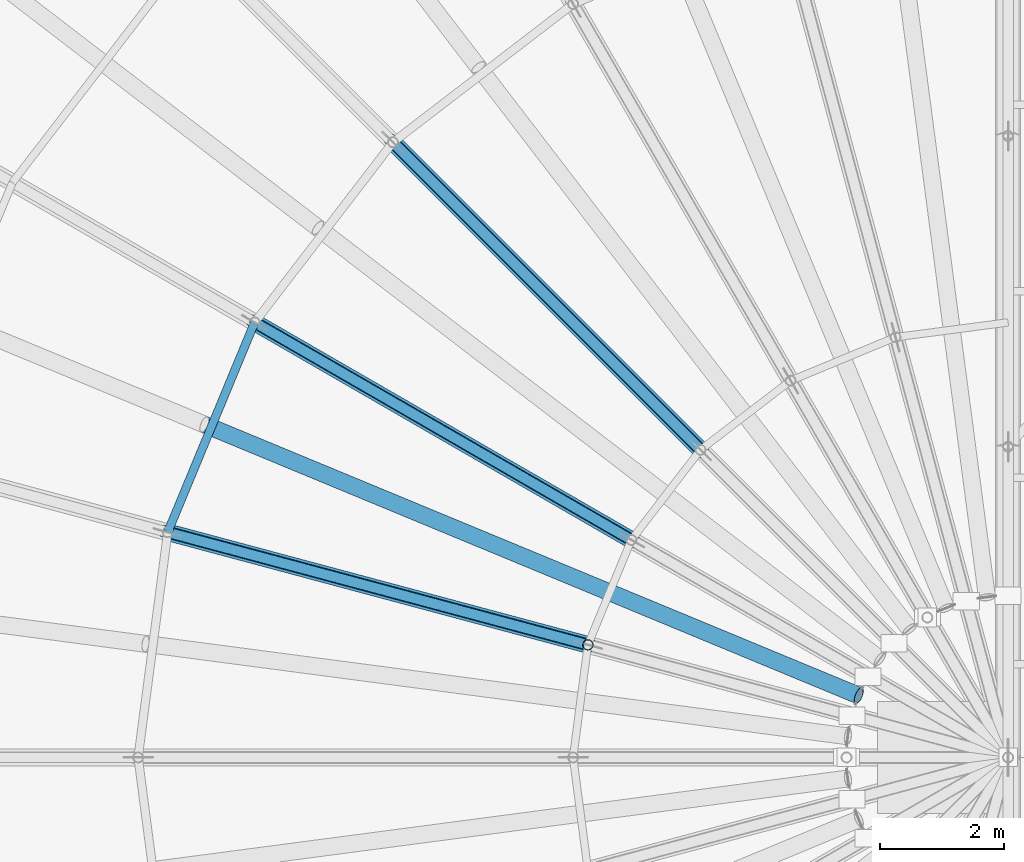
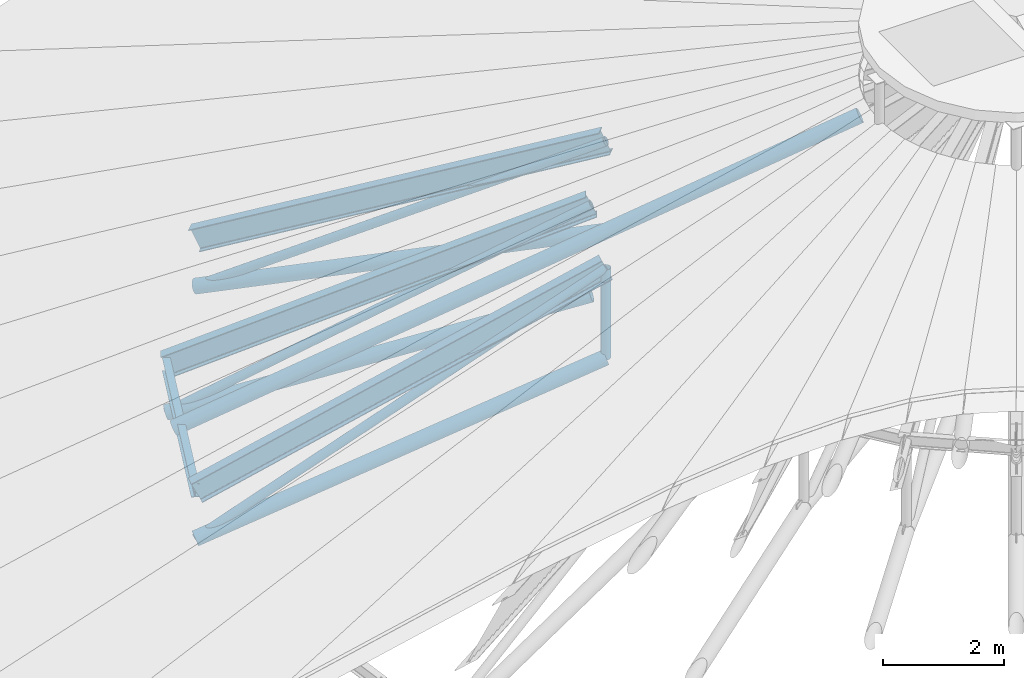
# One storey, part 6 of 107: 12 members.
"""IFC4 building model written with IfcOpenShell, lengths in metres."""

from ifc_helpers import new_model, si_unit, derived_unit, direction, frame, origin, origin_2d, place, context, subcontext, project, spatial, hollow_circle, i_section, extrude, material, material_profile, profile_set, type_object, element, save


model = new_model("IFC4")

# Units and contexts
model_context = context("Model", 3, precision=1e-05, world=origin(), true_north=direction((0.0, 1.0)))
body_context = subcontext(model_context, "Body", "Model", "MODEL_VIEW")
ifc_project = project(units=[si_unit("LENGTHUNIT", "METRE"), si_unit("AREAUNIT", "SQUARE_METRE"), si_unit("VOLUMEUNIT", "CUBIC_METRE"), si_unit("PLANEANGLEUNIT", "RADIAN"), si_unit("MASSUNIT", "GRAM", prefix="KILO"), si_unit("THERMODYNAMICTEMPERATUREUNIT", "KELVIN"), si_unit("TIMEUNIT", "SECOND"), derived_unit("THERMALTRANSMITTANCEUNIT", [(si_unit("MASSUNIT", "GRAM", prefix="KILO"), 1), (si_unit("THERMODYNAMICTEMPERATUREUNIT", "KELVIN"), -1), (si_unit("TIMEUNIT", "SECOND"), -3)])], contexts=[model_context])

# Site, building, storey
site_placement = place(None, origin())
site = spatial("IfcSite", under=ifc_project, at=site_placement, CompositionType="ELEMENT")
building_placement = place(site_placement, origin())
building = spatial("IfcBuilding", under=site, at=building_placement, Name="Cambertide Market Hall", CompositionType="ELEMENT")
storey_placement = place(building_placement, frame((0.0, 0.0, 18.300048828125)))
storey = spatial("IfcBuildingStorey", under=building, at=storey_placement, Name="RF", CompositionType="ELEMENT", Elevation=18.300048828125)

# Members
ifc_material_1 = material(Name="Steel S355", Category="steel")
ifc_material_profile_1 = material_profile(ifc_material_1, hollow_circle(Radius=0.136474609375, WallThickness=0.010009765625, at=origin_2d()), Name="CHS 273x10")
ifc_profile_set_1 = profile_set([ifc_material_profile_1], Name="Steel S355")
member_type_1 = type_object("IfcMemberType", Name="Arched Truss Chord CHS 273x10", PredefinedType="CHORD", material=ifc_profile_set_1)
for number, where, z_axis, x_axis, name in (
    (1, (37.05029296875, 76.94970703125, -5.381591796875), (-0.669628706701, 0.669628706701, -0.321239459474), (-0.707106781187, -0.707106781187, 0.0), "Half-Cone Radial Arch Chord W-06-2"),
    (2, (35.937744140625, 75.5, -5.381591796875), (-0.820117658259, 0.473508125204, -0.321243026348), (-0.500010275428, -0.866019471182, 0.0), "Half-Cone Radial Arch Chord W-08-2"),
):
    element("IfcMember", number, at=place(storey_placement, frame(where, z_axis=z_axis, x_axis=x_axis)), inside=storey, type_object=member_type_1, Name=name, PredefinedType="CHORD", context=body_context, shape_type="SweptSolid", body=[
        extrude(hollow_circle(Radius=0.136474609375, WallThickness=0.010009765625, at=origin_2d()), origin(), (0.0, 0.0, 1.0), 7.3916015625),
    ])
member_1_placement = place(storey_placement, frame((35.238525390625, 73.811767578125, -5.381591796875), z_axis=(-0.914729420004, 0.245105868419, -0.321236986422), x_axis=(-0.258823832372, -0.965924543531, 0.0)))
element("IfcMember", 3, at=member_1_placement, inside=storey, type_object=member_type_1, Name="Half-Cone Radial Arch Chord W-10-2", PredefinedType="CHORD", context=body_context, shape_type="SweptSolid", body=[
    extrude(hollow_circle(Radius=0.136474609375, WallThickness=0.010009765625, at=origin_2d()), origin(), (0.0, 0.0, 1.0), 7.391845703125),
])
ifc_material_2 = material(Name="Steel S355", Category="steel")
ifc_material_profile_2 = material_profile(ifc_material_2, hollow_circle(Radius=0.136474609375, WallThickness=0.010009765625, at=origin_2d()), Name="CHS 273x10")
ifc_profile_set_2 = profile_set([ifc_material_profile_2], Name="Steel S355")
member_type_2 = type_object("IfcMemberType", Name="Radial Fan Rafter CHS 273x10", PredefinedType="RAFTER", material=ifc_profile_set_2)
member_2_placement = place(storey_placement, frame((39.597900390625, 72.994873046875, -1.546142578125), z_axis=(-0.839333931883, 0.347679586527, -0.417896465529), x_axis=(-0.382698547937, -0.923873271292, 0.0)))
element("IfcMember", 4, at=member_2_placement, inside=storey, type_object=member_type_2, Name="RAF-W-09-A", PredefinedType="RAFTER", context=body_context, shape_type="SweptSolid", body=[
    extrude(hollow_circle(Radius=0.136474609375, WallThickness=0.010009765625, at=origin_2d()), origin(), (0.0, 0.0, 1.0), 12.54833984375),
])
ifc_material_3 = material(Name="Steel S355", Category="steel")
ifc_material_profile_3 = material_profile(ifc_material_3, i_section(OverallWidth=0.18994140625, OverallDepth=0.449951171875, WebThickness=0.009521484375, FlangeThickness=0.0146484375, FilletRadius=0.02099609375, at=origin_2d()), Name="IPE 450")
ifc_profile_set_3 = profile_set([ifc_material_profile_3], Name="Steel S355")
member_type_3 = type_object("IfcMemberType", Name="Radial Fan Rafter IPE 450", PredefinedType="RAFTER", material=ifc_profile_set_3)
member_3_placement = place(storey_placement, frame((37.05029296875, 76.94970703125, -3.570068359375), z_axis=(-0.642399863947, 0.642399863947, -0.417905287837), x_axis=(-0.707106781187, -0.707106781187, 0.0)))
element("IfcMember", 5, at=member_3_placement, inside=storey, type_object=member_type_3, Name="Half-Cone Radial Truss Rafter W-06-2", PredefinedType="RAFTER", context=body_context, shape_type="SweptSolid", body=[
    extrude(i_section(OverallWidth=0.18994140625, OverallDepth=0.449951171875, WebThickness=0.009521484375, FlangeThickness=0.0146484375, FilletRadius=0.02099609375, at=origin_2d()), origin(), (0.0, 0.0, 1.0), 7.705078125),
])
member_4_placement = place(storey_placement, frame((35.937744140625, 75.5, -3.570068359375), z_axis=(-0.786768847794, 0.454253652919, -0.417909558339), x_axis=(-0.500010275428, -0.866019471182, 0.0)))
element("IfcMember", 6, at=member_4_placement, inside=storey, type_object=member_type_3, Name="Half-Cone Radial Truss Rafter W-08-2", PredefinedType="RAFTER", context=body_context, shape_type="SweptSolid", body=[
    extrude(i_section(OverallWidth=0.18994140625, OverallDepth=0.449951171875, WebThickness=0.009521484375, FlangeThickness=0.0146484375, FilletRadius=0.02099609375, at=origin_2d()), origin(), (0.0, 0.0, 1.0), 7.704833984375),
])
member_5_placement = place(storey_placement, frame((35.238525390625, 73.811767578125, -3.570068359375), z_axis=(-0.877534683767, 0.235139371303, -0.417902326925), x_axis=(-0.258823832372, -0.965924543531, 0.0)))
element("IfcMember", 7, at=member_5_placement, inside=storey, type_object=member_type_3, Name="Half-Cone Radial Truss Rafter W-10-2", PredefinedType="RAFTER", context=body_context, shape_type="SweptSolid", body=[
    extrude(i_section(OverallWidth=0.18994140625, OverallDepth=0.449951171875, WebThickness=0.009521484375, FlangeThickness=0.0146484375, FilletRadius=0.02099609375, at=origin_2d()), origin(), (0.0, 0.0, 1.0), 7.705078125),
])
ifc_material_4 = material(Name="Steel S275", Category="steel")
ifc_material_profile_4 = material_profile(ifc_material_4, i_section(OverallWidth=0.135009765625, OverallDepth=0.27001953125, WebThickness=0.006591796875, FlangeThickness=0.01025390625, FilletRadius=0.014892578125, at=origin_2d()), Name="IPE 270")
ifc_profile_set_4 = profile_set([ifc_material_profile_4], Name="Steel S275")
member_type_4 = type_object("IfcMemberType", Name="Roof Purlin IPE 270", PredefinedType="PURLIN", material=ifc_profile_set_4)
member_6_placement = place(storey_placement, frame((29.875732421875, 79.0, -6.7900390625), z_axis=(-0.382707746954, -0.923869460704, 0.0), x_axis=(0.923869460704, -0.382707746954, 0.0)))
element("IfcMember", 8, at=member_6_placement, inside=storey, type_object=member_type_4, Name="CPUR-W-140-05", PredefinedType="PURLIN", context=body_context, shape_type="SweptSolid", body=[
    extrude(i_section(OverallWidth=0.135009765625, OverallDepth=0.27001953125, WebThickness=0.006591796875, FlangeThickness=0.01025390625, FilletRadius=0.014892578125, at=origin_2d()), origin(), (0.0, 0.0, 1.0), 3.65478515625),
])
ifc_material_5 = material(Name="Steel S355", Category="steel")
ifc_material_profile_5 = material_profile(ifc_material_5, hollow_circle(Radius=0.084228515625, WallThickness=0.00634765625, at=origin_2d()), Name="CHS 168.3x6.3")
ifc_profile_set_5 = profile_set([ifc_material_profile_5], Name="Steel S355")
member_type_5 = type_object("IfcMemberType", Name="Structural Brace CHS 168.3x6.3", PredefinedType="BRACE", material=ifc_profile_set_5)
for number, where, z_axis, x_axis, name in (
    (9, (32.1005859375, 81.8994140625, -7.756103515625), (0.606871234224, -0.606871234224, 0.513239330276), (0.707106781187, 0.707106781187, 0.0), "RWB-W-06-D2"),
    (10, (29.875732421875, 79.0, -7.756103515625), (0.743254916034, -0.429130184304, 0.513244010887), (0.500010275428, 0.866019471182, 0.0), "RWB-W-08-D2"),
):
    element("IfcMember", number, at=place(storey_placement, frame(where, z_axis=z_axis, x_axis=x_axis)), inside=storey, type_object=member_type_5, Name=name, PredefinedType="BRACE", context=body_context, shape_type="SweptSolid", body=[
        extrude(hollow_circle(Radius=0.084228515625, WallThickness=0.00634765625, at=origin_2d()), origin(), (0.0, 0.0, 1.0), 8.156005859375),
    ])
member_7_placement = place(storey_placement, frame((28.47705078125, 75.62353515625, -7.756103515625), z_axis=(0.829002296418, -0.222134899502, 0.513236085011), x_axis=(0.258823832372, 0.965924543531, 0.0)))
element("IfcMember", 11, at=member_7_placement, inside=storey, type_object=member_type_5, Name="RWB-W-10-D2", PredefinedType="BRACE", context=body_context, shape_type="SweptSolid", body=[
    extrude(hollow_circle(Radius=0.084228515625, WallThickness=0.00634765625, at=origin_2d()), origin(), (0.0, 0.0, 1.0), 8.15625),
])
member_8_placement = place(storey_placement, frame((35.238525390625, 73.811767578125, -5.381591796875), z_axis=(0.0, 0.0, 1.0), x_axis=(1.0, 0.0, 0.0)))
element("IfcMember", 12, at=member_8_placement, inside=storey, type_object=member_type_5, Name="RWV-W-10-V1", PredefinedType="BRACE", context=body_context, shape_type="SweptSolid", body=[
    extrude(hollow_circle(Radius=0.084228515625, WallThickness=0.00634765625, at=origin_2d()), origin(), (0.0, 0.0, 1.0), 1.8115234375),
])

save(model, "model.ifc")
